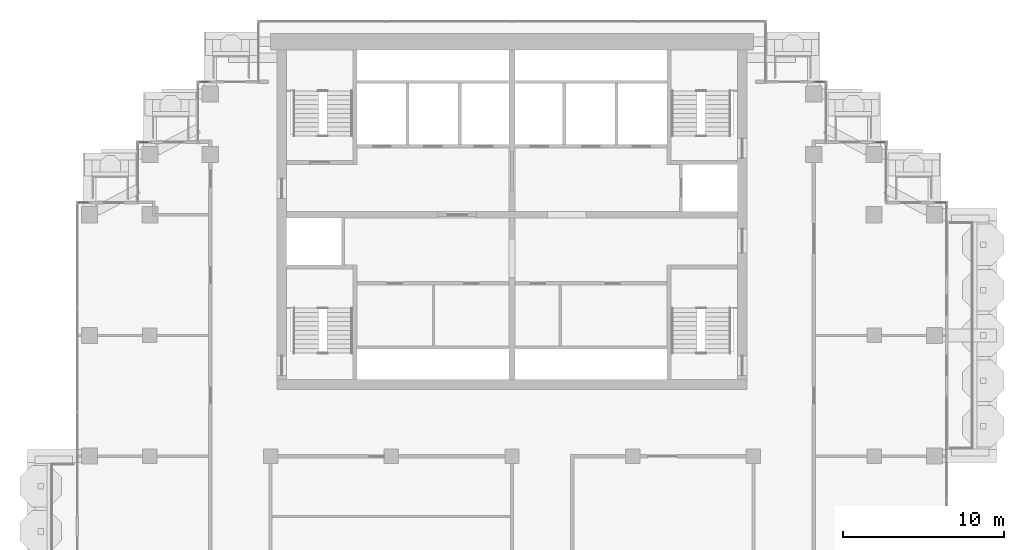
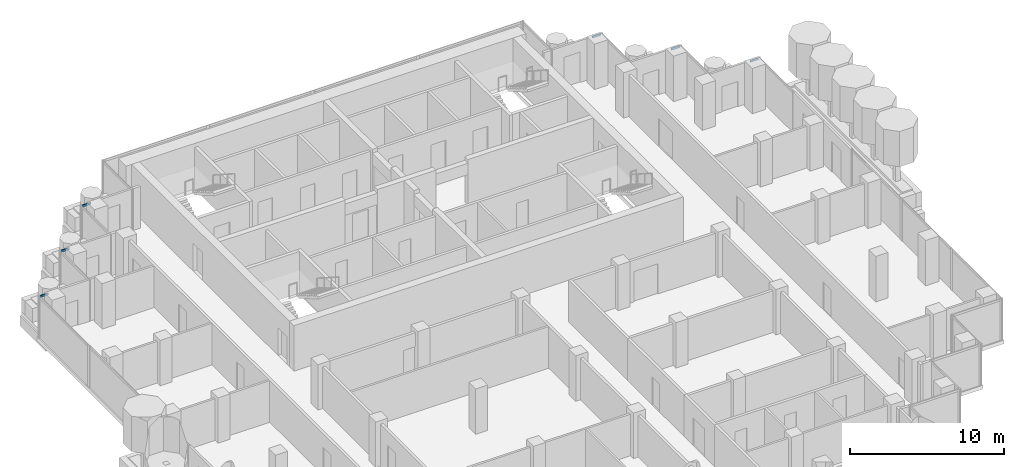
# One storey, part 7 of 18: 6 members, 6 elements without a shape of their own.
"""IFC4 building model written with IfcOpenShell, lengths in metres."""

from ifc_helpers import new_model, si_unit, direction, frame, origin, origin_2d, place, context, subcontext, project, spatial, rectangle, extrude, material, material_profile, profile_set, type_object, element, aggregate, save


model = new_model("IFC4")

# Units and contexts
model_context = context("Model", 3, precision=1e-05, world=origin(), true_north=direction((0.0, 1.0)))
body_context = subcontext(model_context, "Body", "Model", "MODEL_VIEW")
ifc_project = project(units=[si_unit("LENGTHUNIT", "METRE"), si_unit("AREAUNIT", "SQUARE_METRE"), si_unit("VOLUMEUNIT", "CUBIC_METRE"), si_unit("PLANEANGLEUNIT", "RADIAN"), si_unit("MASSUNIT", "GRAM", prefix="KILO")], contexts=[model_context])

# Site, building, storey
site_placement = place(None, origin())
site = spatial("IfcSite", under=ifc_project, at=site_placement, CompositionType="ELEMENT")
building_placement = place(site_placement, origin())
building = spatial("IfcBuilding", under=site, at=building_placement, Name="Pilkhan Gate Tower", CompositionType="ELEMENT")
storey_placement = place(building_placement, frame((0.0, 0.0, 195.89990234375)))
storey = spatial("IfcBuildingStorey", under=building, at=storey_placement, Name="L50", CompositionType="ELEMENT", Elevation=195.89990234375)

# Curtain wall, member
ifc_material_1 = material(Name="Pale anodised aluminium, clear low-iron double glazing", Category="aluminium")
curtain_wall_type = type_object("IfcCurtainWallType", Name="Office unitised curtain wall CW-O2", PredefinedType="USERDEFINED", material=ifc_material_1)
curtain_wall_1_placement = place(storey_placement, origin())
curtain_wall_1 = element("IfcCurtainWall", 1, at=curtain_wall_1_placement, inside=storey, type_object=curtain_wall_type, Name="Office unitised curtain wall CW-O2 L50 N", ObjectType="UNITISED CURTAIN WALL", PredefinedType="USERDEFINED")
ifc_material_2 = material(Name="Pale anodised aluminium", Category="aluminium")
ifc_material_profile = material_profile(ifc_material_2, rectangle(XDim=0.06494140625, YDim=0.1650390625, at=origin_2d()), Name="Transom 165x65")
ifc_profile_set = profile_set([ifc_material_profile], Name="Pale anodised aluminium")
member_type = type_object("IfcMemberType", Name="Transom CW-O2 165x65", PredefinedType="USERDEFINED", material=ifc_profile_set)
member_1_placement = place(storey_placement, frame((101.31494140625, 83.25, 3.217529296875), z_axis=(1.0, 0.0, 0.0), x_axis=(0.0, 1.0, 0.0)))
member_1 = element("IfcMember", 2, at=member_1_placement, type_object=member_type, Name="CW-O2 transom 1", ObjectType="TRANSOM", PredefinedType="USERDEFINED", context=body_context, shape_type="SweptSolid", body=[
    extrude(rectangle(XDim=0.06494140625, YDim=0.1650390625, at=origin_2d()), origin(), (0.0, 0.0, 1.0), 0.6201171875),
])
aggregate(curtain_wall_1, [member_1])

curtain_wall_2_placement = place(storey_placement, origin())
curtain_wall_2 = element("IfcCurtainWall", 3, at=curtain_wall_2_placement, inside=storey, type_object=curtain_wall_type, Name="Office unitised curtain wall CW-O2 L50 N", ObjectType="UNITISED CURTAIN WALL", PredefinedType="USERDEFINED")
member_2_placement = place(storey_placement, frame((97.56494140625, 87.0, 3.217529296875), z_axis=(1.0, 0.0, 0.0), x_axis=(0.0, 1.0, 0.0)))
member_2 = element("IfcMember", 4, at=member_2_placement, type_object=member_type, Name="CW-O2 transom 1", ObjectType="TRANSOM", PredefinedType="USERDEFINED", context=body_context, shape_type="SweptSolid", body=[
    extrude(rectangle(XDim=0.06494140625, YDim=0.1650390625, at=origin_2d()), origin(), (0.0, 0.0, 1.0), 0.6201171875),
])
aggregate(curtain_wall_2, [member_2])

curtain_wall_3_placement = place(storey_placement, origin())
curtain_wall_3 = element("IfcCurtainWall", 5, at=curtain_wall_3_placement, inside=storey, type_object=curtain_wall_type, Name="Office unitised curtain wall CW-O2 L50 N", ObjectType="UNITISED CURTAIN WALL", PredefinedType="USERDEFINED")
member_3_placement = place(storey_placement, frame((93.81494140625, 90.75, 3.217529296875), z_axis=(1.0, 0.0, 0.0), x_axis=(0.0, 1.0, 0.0)))
member_3 = element("IfcMember", 6, at=member_3_placement, type_object=member_type, Name="CW-O2 transom 1", ObjectType="TRANSOM", PredefinedType="USERDEFINED", context=body_context, shape_type="SweptSolid", body=[
    extrude(rectangle(XDim=0.06494140625, YDim=0.1650390625, at=origin_2d()), origin(), (0.0, 0.0, 1.0), 0.6201171875),
])
aggregate(curtain_wall_3, [member_3])

curtain_wall_4_placement = place(storey_placement, origin())
curtain_wall_4 = element("IfcCurtainWall", 7, at=curtain_wall_4_placement, inside=storey, type_object=curtain_wall_type, Name="Office unitised curtain wall CW-O2 L50 N", ObjectType="UNITISED CURTAIN WALL", PredefinedType="USERDEFINED")
member_4_placement = place(storey_placement, frame((55.56494140625, 90.75, 3.217529296875), z_axis=(1.0, 0.0, 0.0), x_axis=(0.0, 1.0, 0.0)))
member_4 = element("IfcMember", 8, at=member_4_placement, type_object=member_type, Name="CW-O2 transom 1", ObjectType="TRANSOM", PredefinedType="USERDEFINED", context=body_context, shape_type="SweptSolid", body=[
    extrude(rectangle(XDim=0.06494140625, YDim=0.1650390625, at=origin_2d()), origin(), (0.0, 0.0, 1.0), 0.6201171875),
])
aggregate(curtain_wall_4, [member_4])

curtain_wall_5_placement = place(storey_placement, origin())
curtain_wall_5 = element("IfcCurtainWall", 9, at=curtain_wall_5_placement, inside=storey, type_object=curtain_wall_type, Name="Office unitised curtain wall CW-O2 L50 N", ObjectType="UNITISED CURTAIN WALL", PredefinedType="USERDEFINED")
member_5_placement = place(storey_placement, frame((51.81494140625, 87.0, 3.217529296875), z_axis=(1.0, 0.0, 0.0), x_axis=(0.0, 1.0, 0.0)))
member_5 = element("IfcMember", 10, at=member_5_placement, type_object=member_type, Name="CW-O2 transom 1", ObjectType="TRANSOM", PredefinedType="USERDEFINED", context=body_context, shape_type="SweptSolid", body=[
    extrude(rectangle(XDim=0.06494140625, YDim=0.1650390625, at=origin_2d()), origin(), (0.0, 0.0, 1.0), 0.6201171875),
])
aggregate(curtain_wall_5, [member_5])

curtain_wall_6_placement = place(storey_placement, origin())
curtain_wall_6 = element("IfcCurtainWall", 11, at=curtain_wall_6_placement, inside=storey, type_object=curtain_wall_type, Name="Office unitised curtain wall CW-O2 L50 N", ObjectType="UNITISED CURTAIN WALL", PredefinedType="USERDEFINED")
member_6_placement = place(storey_placement, frame((48.06494140625, 83.25, 3.217529296875), z_axis=(1.0, 0.0, 0.0), x_axis=(0.0, 1.0, 0.0)))
member_6 = element("IfcMember", 12, at=member_6_placement, type_object=member_type, Name="CW-O2 transom 1", ObjectType="TRANSOM", PredefinedType="USERDEFINED", context=body_context, shape_type="SweptSolid", body=[
    extrude(rectangle(XDim=0.06494140625, YDim=0.1650390625, at=origin_2d()), origin(), (0.0, 0.0, 1.0), 0.6201171875),
])
aggregate(curtain_wall_6, [member_6])

save(model, "model.ifc")
